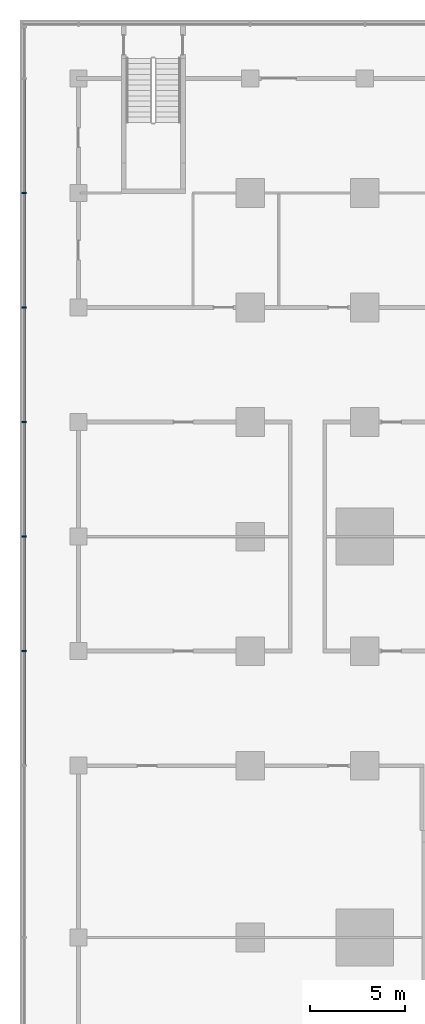
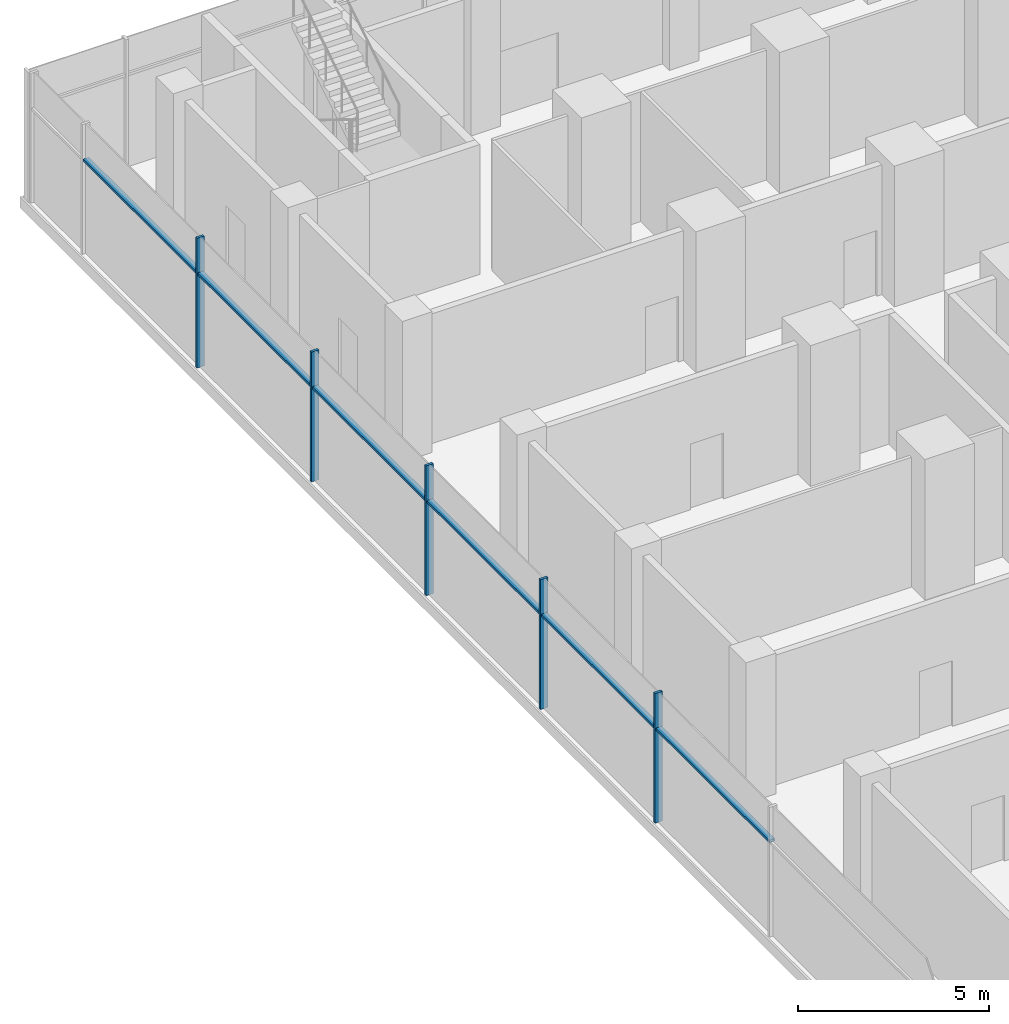
# One storey, part 4 of 22: 11 members, 1 element without a shape of its own.
"""IFC4 building model written with IfcOpenShell, lengths in metres."""

from ifc_helpers import new_model, si_unit, direction, frame, origin, origin_2d, place, context, subcontext, project, spatial, rectangle, extrude, material, material_profile, profile_set, type_object, element, aggregate, save


model = new_model("IFC4")

# Units and contexts
model_context = context("Model", 3, precision=1e-05, world=origin(), true_north=direction((0.0, 1.0)))
body_context = subcontext(model_context, "Body", "Model", "MODEL_VIEW")
ifc_project = project(units=[si_unit("LENGTHUNIT", "METRE"), si_unit("AREAUNIT", "SQUARE_METRE"), si_unit("VOLUMEUNIT", "CUBIC_METRE"), si_unit("PLANEANGLEUNIT", "RADIAN"), si_unit("MASSUNIT", "GRAM", prefix="KILO")], contexts=[model_context])

# Site, building, storey
site_placement = place(None, origin())
site = spatial("IfcSite", under=ifc_project, at=site_placement, CompositionType="ELEMENT")
building_placement = place(site_placement, origin())
building = spatial("IfcBuilding", under=site, at=building_placement, Name="Finial Court Residences", CompositionType="ELEMENT")
storey_placement = place(building_placement, frame((0.0, 0.0, 23.5)))
storey = spatial("IfcBuildingStorey", under=building, at=storey_placement, Name="L04", CompositionType="ELEMENT", Elevation=23.5)

# Curtain wall, members
ifc_material = material(Name="Bronze anodised aluminium", Category="aluminium")
curtain_wall_type = type_object("IfcCurtainWallType", Name="Podium curtain wall", PredefinedType="NOTDEFINED", material=ifc_material)
curtain_wall_placement = place(storey_placement, origin())
curtain_wall = element("IfcCurtainWall", 1, at=curtain_wall_placement, inside=storey, type_object=curtain_wall_type, Name="E-L04-CW-W4", PredefinedType="NOTDEFINED")
ifc_material_profile_1 = material_profile(ifc_material, rectangle(XDim=0.22509765625, YDim=0.080078125, at=origin_2d()), Name="CW5 mullion 80 x 225")
ifc_profile_set_1 = profile_set([ifc_material_profile_1], Name="Bronze anodised aluminium")
member_type_1 = type_object("IfcMemberType", Name="CW5 mullion 80 x 225", PredefinedType="MULLION", material=ifc_profile_set_1)
member_1_placement = place(storey_placement, frame((-34.35009765625, 1.5, 0.0), z_axis=(0.0, 0.0, 1.0), x_axis=(-1.0, 0.0, 0.0)))
member_1 = element("IfcMember", 2, at=member_1_placement, type_object=member_type_1, Name="CW5 mullion 6", PredefinedType="MULLION", context=body_context, shape_type="SweptSolid", body=[
    extrude(rectangle(XDim=0.22509765625, YDim=0.080078125, at=origin_2d()), origin(), (0.0, 0.0, 1.0), 4.14990234375),
])
member_2_placement = place(storey_placement, frame((-34.35009765625, 7.5, 0.0), z_axis=(0.0, 0.0, 1.0), x_axis=(-1.0, 0.0, 0.0)))
member_2 = element("IfcMember", 3, at=member_2_placement, type_object=member_type_1, Name="CW5 mullion 7", PredefinedType="MULLION", context=body_context, shape_type="SweptSolid", body=[
    extrude(rectangle(XDim=0.22509765625, YDim=0.080078125, at=origin_2d()), origin(), (0.0, 0.0, 1.0), 4.14990234375),
])
member_3_placement = place(storey_placement, frame((-34.35009765625, 13.5, 0.0), z_axis=(0.0, 0.0, 1.0), x_axis=(-1.0, 0.0, 0.0)))
member_3 = element("IfcMember", 4, at=member_3_placement, type_object=member_type_1, Name="CW5 mullion 8", PredefinedType="MULLION", context=body_context, shape_type="SweptSolid", body=[
    extrude(rectangle(XDim=0.22509765625, YDim=0.080078125, at=origin_2d()), origin(), (0.0, 0.0, 1.0), 4.14990234375),
])
member_4_placement = place(storey_placement, frame((-34.35009765625, 19.5, 0.0), z_axis=(0.0, 0.0, 1.0), x_axis=(-1.0, 0.0, 0.0)))
member_4 = element("IfcMember", 5, at=member_4_placement, type_object=member_type_1, Name="CW5 mullion 9", PredefinedType="MULLION", context=body_context, shape_type="SweptSolid", body=[
    extrude(rectangle(XDim=0.22509765625, YDim=0.080078125, at=origin_2d()), origin(), (0.0, 0.0, 1.0), 4.14990234375),
])
member_5_placement = place(storey_placement, frame((-34.35009765625, 25.5, 0.0), z_axis=(0.0, 0.0, 1.0), x_axis=(-1.0, 0.0, 0.0)))
member_5 = element("IfcMember", 6, at=member_5_placement, type_object=member_type_1, Name="CW5 mullion 10", PredefinedType="MULLION", context=body_context, shape_type="SweptSolid", body=[
    extrude(rectangle(XDim=0.22509765625, YDim=0.080078125, at=origin_2d()), origin(), (0.0, 0.0, 1.0), 4.14990234375),
])
ifc_material_profile_2 = material_profile(ifc_material, rectangle(XDim=0.175048828125, YDim=0.080078125, at=origin_2d()), Name="CW5 transom 80 x 175")
ifc_profile_set_2 = profile_set([ifc_material_profile_2], Name="Bronze anodised aluminium")
member_type_2 = type_object("IfcMemberType", Name="CW5 transom 80 x 175", PredefinedType="USERDEFINED", material=ifc_profile_set_2)
member_6_placement = place(storey_placement, frame((-34.35009765625, -4.4599609375, 3.0), z_axis=(0.0, 1.0, 0.0), x_axis=(-1.0, 0.0, 0.0)))
member_6 = element("IfcMember", 7, at=member_6_placement, type_object=member_type_2, Name="CW5 transom 5.1", ObjectType="TRANSOM", PredefinedType="USERDEFINED", context=body_context, shape_type="SweptSolid", body=[
    extrude(rectangle(XDim=0.175048828125, YDim=0.080078125, at=origin_2d()), origin(), (0.0, 0.0, 1.0), 5.919921875),
])
member_7_placement = place(storey_placement, frame((-34.35009765625, 1.5400390625, 3.0), z_axis=(0.0, 1.0, 0.0), x_axis=(-1.0, 0.0, 0.0)))
member_7 = element("IfcMember", 8, at=member_7_placement, type_object=member_type_2, Name="CW5 transom 6.1", ObjectType="TRANSOM", PredefinedType="USERDEFINED", context=body_context, shape_type="SweptSolid", body=[
    extrude(rectangle(XDim=0.175048828125, YDim=0.080078125, at=origin_2d()), origin(), (0.0, 0.0, 1.0), 5.919921875),
])
member_8_placement = place(storey_placement, frame((-34.35009765625, 7.5400390625, 3.0), z_axis=(0.0, 1.0, 0.0), x_axis=(-1.0, 0.0, 0.0)))
member_8 = element("IfcMember", 9, at=member_8_placement, type_object=member_type_2, Name="CW5 transom 7.1", ObjectType="TRANSOM", PredefinedType="USERDEFINED", context=body_context, shape_type="SweptSolid", body=[
    extrude(rectangle(XDim=0.175048828125, YDim=0.080078125, at=origin_2d()), origin(), (0.0, 0.0, 1.0), 5.919921875),
])
member_9_placement = place(storey_placement, frame((-34.35009765625, 13.5400390625, 3.0), z_axis=(0.0, 1.0, 0.0), x_axis=(-1.0, 0.0, 0.0)))
member_9 = element("IfcMember", 10, at=member_9_placement, type_object=member_type_2, Name="CW5 transom 8.1", ObjectType="TRANSOM", PredefinedType="USERDEFINED", context=body_context, shape_type="SweptSolid", body=[
    extrude(rectangle(XDim=0.175048828125, YDim=0.080078125, at=origin_2d()), origin(), (0.0, 0.0, 1.0), 5.919921875),
])
member_10_placement = place(storey_placement, frame((-34.35009765625, 19.5400390625, 3.0), z_axis=(0.0, 1.0, 0.0), x_axis=(-1.0, 0.0, 0.0)))
member_10 = element("IfcMember", 11, at=member_10_placement, type_object=member_type_2, Name="CW5 transom 9.1", ObjectType="TRANSOM", PredefinedType="USERDEFINED", context=body_context, shape_type="SweptSolid", body=[
    extrude(rectangle(XDim=0.175048828125, YDim=0.080078125, at=origin_2d()), origin(), (0.0, 0.0, 1.0), 5.919921875),
])
member_11_placement = place(storey_placement, frame((-34.35009765625, 25.5400390625, 3.0), z_axis=(0.0, 1.0, 0.0), x_axis=(-1.0, 0.0, 0.0)))
member_11 = element("IfcMember", 12, at=member_11_placement, type_object=member_type_2, Name="CW5 transom 10.1", ObjectType="TRANSOM", PredefinedType="USERDEFINED", context=body_context, shape_type="SweptSolid", body=[
    extrude(rectangle(XDim=0.175048828125, YDim=0.080078125, at=origin_2d()), origin(), (0.0, 0.0, 1.0), 5.919921875),
])
aggregate(curtain_wall, [member_1, member_2, member_3, member_4, member_5, member_6, member_7, member_8, member_9, member_10, member_11])

save(model, "model.ifc")
